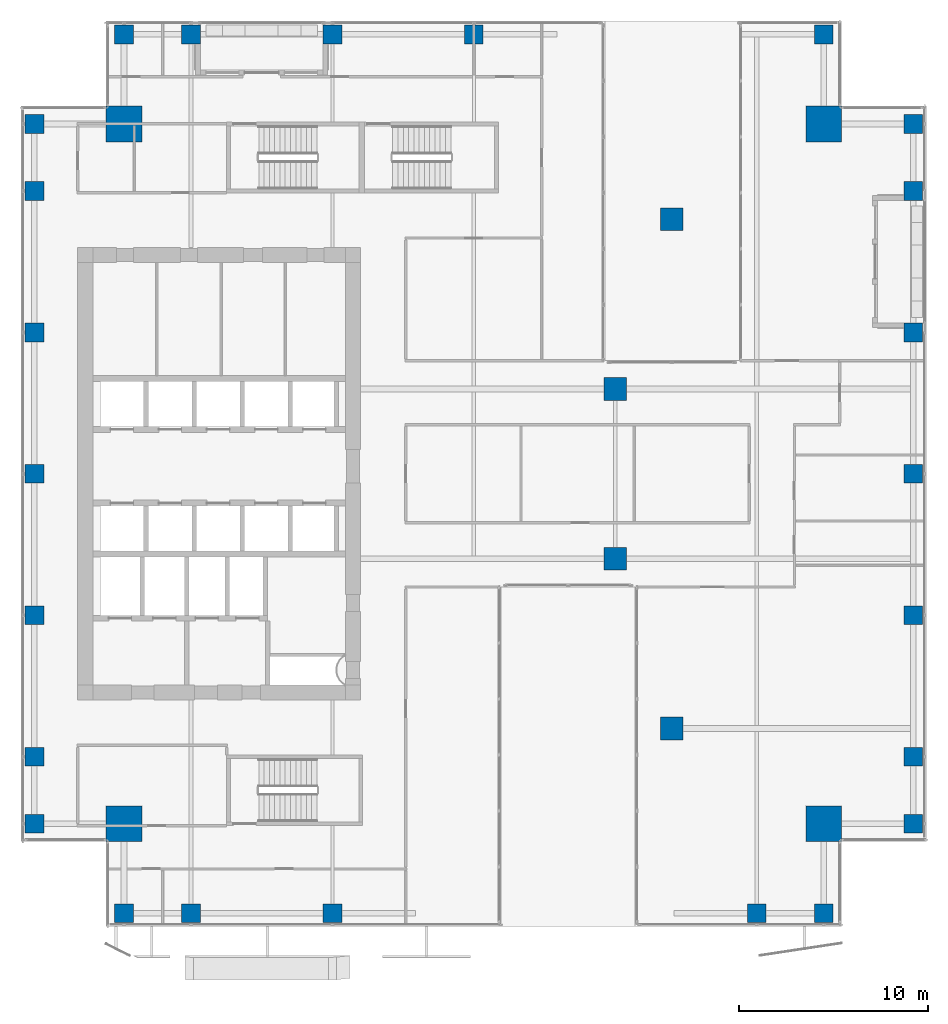
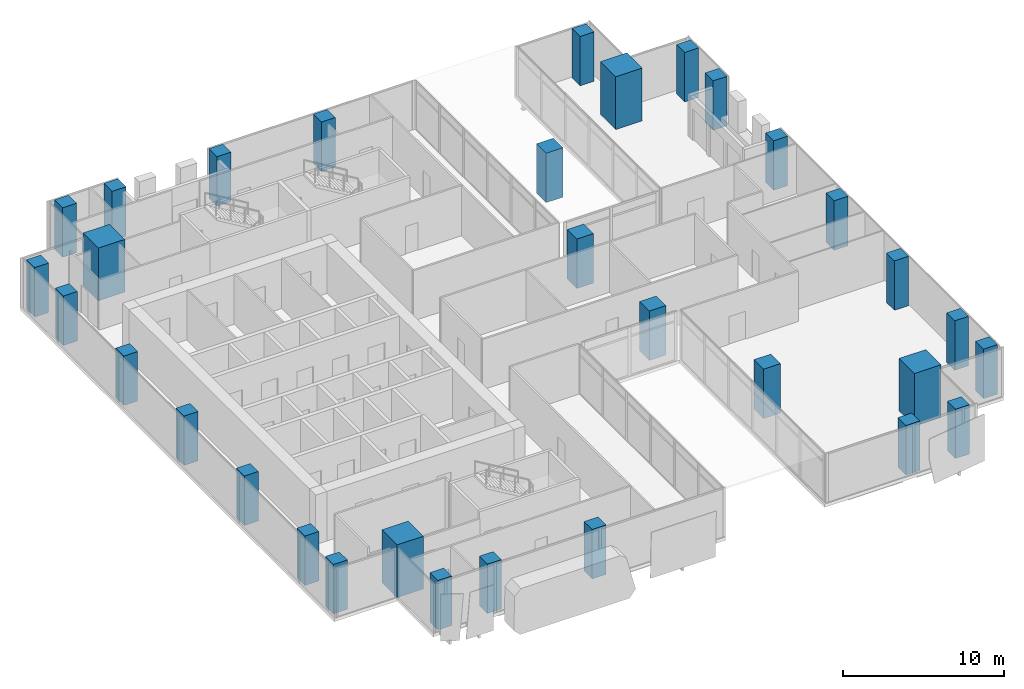
# One storey, part 1 of 40: 32 columns.
"""IFC4 building model written with IfcOpenShell, lengths in metres."""

from ifc_helpers import new_model, si_unit, direction, frame, origin, origin_2d, place, context, subcontext, project, spatial, rectangle, extrude, source, transform, mapped, material, material_profile, profile_set, type_object, element, save


model = new_model("IFC4")

# Units and contexts
model_context = context("Model", 3, precision=1e-05, world=origin(), true_north=direction((0.0, 1.0)))
body_context = subcontext(model_context, "Body", "Model", "MODEL_VIEW")
ifc_project = project(units=[si_unit("LENGTHUNIT", "METRE"), si_unit("AREAUNIT", "SQUARE_METRE"), si_unit("VOLUMEUNIT", "CUBIC_METRE"), si_unit("PLANEANGLEUNIT", "RADIAN"), si_unit("MASSUNIT", "GRAM", prefix="KILO")], contexts=[model_context])

# Site, building, storey
site_placement = place(None, origin())
site = spatial("IfcSite", under=ifc_project, at=site_placement, CompositionType="ELEMENT")
building_placement = place(site_placement, origin())
building = spatial("IfcBuilding", under=site, at=building_placement, Name="Khomas Fold Tower", CompositionType="ELEMENT")
storey_placement = place(building_placement, frame((0.0, 0.0, 184.699951171875)))
storey = spatial("IfcBuildingStorey", under=building, at=storey_placement, Name="L40", CompositionType="ELEMENT", Elevation=184.699951171875)

# Columns
ifc_material_1 = material(Name="Concrete C60/75", Category="concrete")
ifc_material_profile_1 = material_profile(ifc_material_1, rectangle(XDim=1.89990234375, YDim=1.89990234375, at=origin_2d()), Name="RC 1900x1900")
ifc_profile_set_1 = profile_set([ifc_material_profile_1], Name="Concrete C60/75")
column_type_1 = type_object("IfcColumnType", Name="RC 1900x1900 column", PredefinedType="COLUMN", material=ifc_profile_set_1)
shared_shape_1 = source(origin(), body_context, "Body", "SweptSolid", [
    extrude(rectangle(XDim=1.89990234375, YDim=1.89990234375, at=origin_2d()), origin(), (0.0, 0.0, 1.0), 4.0),
])
for number, where, z_axis, x_axis, name in (
    (1, (45.550048828125, 45.550048828125, 0.0), (0.0, 0.0, 1.0), (1.0, 0.0, 0.0), "CM-NE"),
    (2, (8.449951171875, 45.550048828125, 0.0), (0.0, 0.0, 1.0), (1.0, 0.0, 0.0), "CM-NW"),
    (3, (45.550048828125, 8.449951171875, 0.0), (0.0, 0.0, 1.0), (1.0, 0.0, 0.0), "CM-SE"),
    (4, (8.449951171875, 8.449951171875, 0.0), (0.0, 0.0, 1.0), (1.0, 0.0, 0.0), "CM-SW"),
):
    element("IfcColumn", number, at=place(storey_placement, frame(where, z_axis=z_axis, x_axis=x_axis)), inside=storey, type_object=column_type_1, Name=name, PredefinedType="COLUMN", context=body_context, shape_type="MappedRepresentation", body=[
        mapped(shared_shape_1, transform((0.0, 0.0, 0.0))),
    ])
ifc_material_2 = material(Name="Concrete C50/60", Category="concrete")
ifc_material_profile_2 = material_profile(ifc_material_2, rectangle(XDim=1.0, YDim=1.0, at=origin_2d()), Name="RC 1000x1000")
ifc_profile_set_2 = profile_set([ifc_material_profile_2], Name="Concrete C50/60")
column_type_2 = type_object("IfcColumnType", Name="RC 1000x1000 column", PredefinedType="COLUMN", material=ifc_profile_set_2)
shared_shape_2 = source(origin(), body_context, "Body", "SweptSolid", [
    extrude(rectangle(XDim=1.0, YDim=1.0, at=origin_2d()), origin(), (0.0, 0.0, 1.0), 3.75),
])
for number, where, z_axis, x_axis, name in (
    (5, (8.449951171875, 3.699951171875, 0.0), (0.0, 0.0, 1.0), (1.0, 0.0, 0.0), "C-4-SF3"),
    (6, (12.0, 3.699951171875, 0.0), (0.0, 0.0, 1.0), (1.0, 0.0, 0.0), "C-6-SF3"),
    (7, (19.5, 3.699951171875, 0.0), (0.0, 0.0, 1.0), (1.0, 0.0, 0.0), "C-8-SF3"),
    (8, (42.0, 3.699951171875, 0.0), (0.0, 0.0, 1.0), (1.0, 0.0, 0.0), "C-13-SF3"),
    (9, (45.550048828125, 3.699951171875, 0.0), (0.0, 0.0, 1.0), (1.0, 0.0, 0.0), "C-15-SF3"),
    (10, (50.300048828125, 8.449951171875, 0.0), (0.0, 0.0, 1.0), (1.0, 0.0, 0.0), "C-E3-D"),
    (11, (50.300048828125, 12.0, 0.0), (0.0, 0.0, 1.0), (1.0, 0.0, 0.0), "C-E3-F"),
    (12, (50.300048828125, 19.5, 0.0), (0.0, 0.0, 1.0), (1.0, 0.0, 0.0), "C-E3-J"),
    (13, (50.300048828125, 27.0, 0.0), (0.0, 0.0, 1.0), (1.0, 0.0, 0.0), "C-E3-L"),
    (14, (50.300048828125, 34.5, 0.0), (0.0, 0.0, 1.0), (1.0, 0.0, 0.0), "C-E3-N"),
    (15, (50.300048828125, 42.0, 0.0), (0.0, 0.0, 1.0), (1.0, 0.0, 0.0), "C-E3-R"),
    (16, (50.300048828125, 45.550048828125, 0.0), (0.0, 0.0, 1.0), (1.0, 0.0, 0.0), "C-E3-T"),
    (17, (8.449951171875, 50.300048828125, 0.0), (0.0, 0.0, 1.0), (1.0, 0.0, 0.0), "C-4-NF3"),
    (18, (12.0, 50.300048828125, 0.0), (0.0, 0.0, 1.0), (1.0, 0.0, 0.0), "C-6-NF3"),
    (19, (19.5, 50.300048828125, 0.0), (0.0, 0.0, 1.0), (1.0, 0.0, 0.0), "C-8-NF3"),
    (20, (27.0, 50.300048828125, 0.0), (0.0, 0.0, 1.0), (1.0, 0.0, 0.0), "C-9-NF3"),
    (21, (45.550048828125, 50.300048828125, 0.0), (0.0, 0.0, 1.0), (1.0, 0.0, 0.0), "C-15-NF3"),
    (22, (3.699951171875, 8.449951171875, 0.0), (0.0, 0.0, 1.0), (1.0, 0.0, 0.0), "C-W3-D"),
    (23, (3.699951171875, 12.0, 0.0), (0.0, 0.0, 1.0), (1.0, 0.0, 0.0), "C-W3-F"),
    (24, (3.699951171875, 19.5, 0.0), (0.0, 0.0, 1.0), (1.0, 0.0, 0.0), "C-W3-J"),
    (25, (3.699951171875, 27.0, 0.0), (0.0, 0.0, 1.0), (1.0, 0.0, 0.0), "C-W3-L"),
    (26, (3.699951171875, 34.5, 0.0), (0.0, 0.0, 1.0), (1.0, 0.0, 0.0), "C-W3-N"),
    (27, (3.699951171875, 42.0, 0.0), (0.0, 0.0, 1.0), (1.0, 0.0, 0.0), "C-W3-R"),
    (28, (3.699951171875, 45.550048828125, 0.0), (0.0, 0.0, 1.0), (1.0, 0.0, 0.0), "C-W3-T"),
):
    element("IfcColumn", number, at=place(storey_placement, frame(where, z_axis=z_axis, x_axis=x_axis)), inside=storey, type_object=column_type_2, Name=name, PredefinedType="COLUMN", context=body_context, shape_type="MappedRepresentation", body=[
        mapped(shared_shape_2, transform((0.0, 0.0, 0.0))),
    ])
ifc_material_3 = material(Name="Concrete C60/75", Category="concrete")
ifc_material_profile_3 = material_profile(ifc_material_3, rectangle(XDim=1.199951171875, YDim=1.199951171875, at=origin_2d()), Name="RC 1200x1200")
ifc_profile_set_3 = profile_set([ifc_material_profile_3], Name="Concrete C60/75")
column_type_3 = type_object("IfcColumnType", Name="RC 1200x1200 column", PredefinedType="COLUMN", material=ifc_profile_set_3)
shared_shape_3 = source(origin(), body_context, "Body", "SweptSolid", [
    extrude(rectangle(XDim=1.199951171875, YDim=1.199951171875, at=origin_2d()), origin(), (0.0, 0.0, 1.0), 3.75),
])
for number, where, z_axis, x_axis, name in (
    (29, (37.5, 13.5, 0.0), (0.0, 0.0, 1.0), (1.0, 0.0, 0.0), "C-11-H"),
    (30, (37.5, 40.5, 0.0), (0.0, 0.0, 1.0), (1.0, 0.0, 0.0), "C-11-P"),
    (31, (34.5, 22.5, 0.0), (0.0, 0.0, 1.0), (1.0, 0.0, 0.0), "C-10-K"),
    (32, (34.5, 31.5, 0.0), (0.0, 0.0, 1.0), (1.0, 0.0, 0.0), "C-10-M"),
):
    element("IfcColumn", number, at=place(storey_placement, frame(where, z_axis=z_axis, x_axis=x_axis)), inside=storey, type_object=column_type_3, Name=name, PredefinedType="COLUMN", context=body_context, shape_type="MappedRepresentation", body=[
        mapped(shared_shape_3, transform((0.0, 0.0, 0.0))),
    ])

save(model, "model.ifc")
